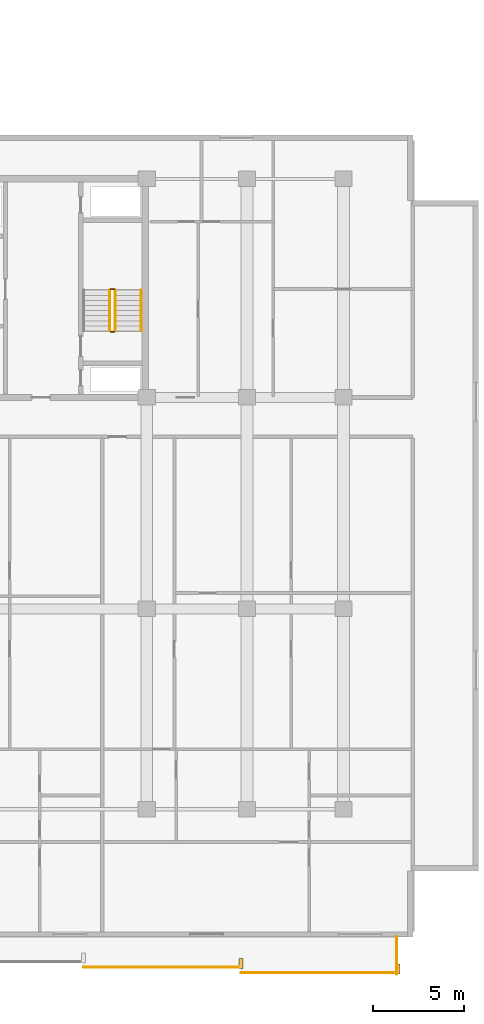
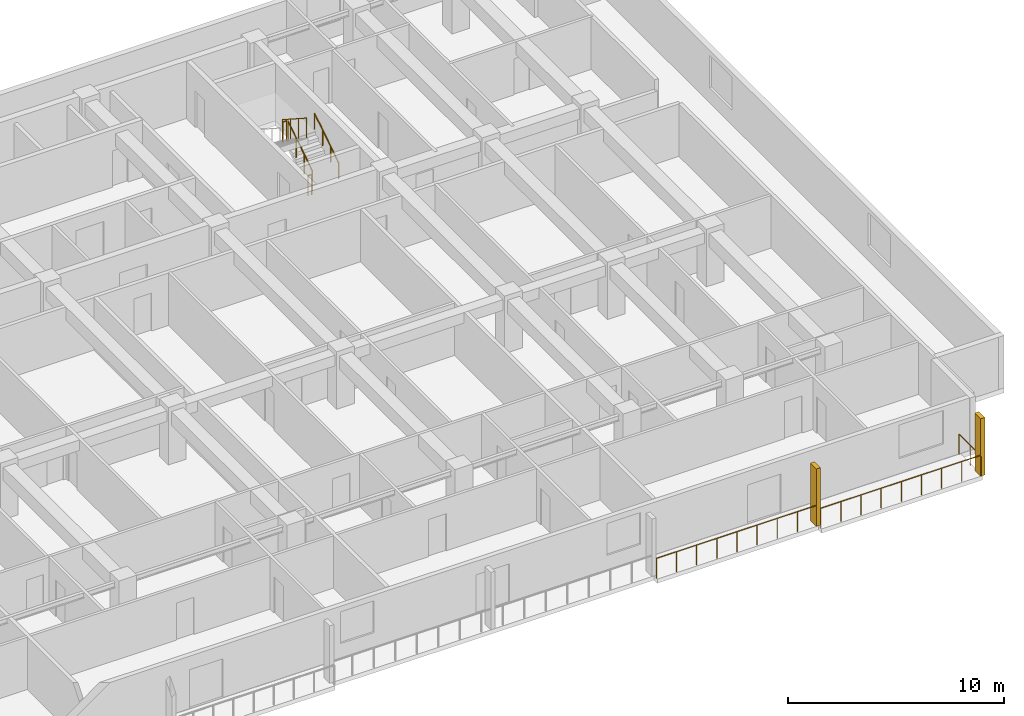
# One storey, part 21 of 23: 8 railings, 2 shading devices.
"""IFC4 building model written with IfcOpenShell, lengths in metres."""

from ifc_helpers import new_model, si_unit, direction, frame, origin, origin_2d, place, context, subcontext, project, spatial, rectangle, circle, extrude, material, type_object, element, save


model = new_model("IFC4")

# Units and contexts
model_context = context("Model", 3, precision=1e-05, world=origin(), true_north=direction((0.0, 1.0)))
body_context = subcontext(model_context, "Body", "Model", "MODEL_VIEW")
ifc_project = project(units=[si_unit("LENGTHUNIT", "METRE"), si_unit("AREAUNIT", "SQUARE_METRE"), si_unit("VOLUMEUNIT", "CUBIC_METRE"), si_unit("PLANEANGLEUNIT", "RADIAN"), si_unit("MASSUNIT", "GRAM", prefix="KILO")], contexts=[model_context])

# Site, building, storey
site_placement = place(None, origin())
site = spatial("IfcSite", under=ifc_project, at=site_placement, CompositionType="ELEMENT")
building_placement = place(site_placement, origin())
building = spatial("IfcBuilding", under=site, at=building_placement, Name="Korimba Cascade Residences", CompositionType="ELEMENT")
storey_placement = place(building_placement, frame((0.0, 0.0, 33.75)))
storey = spatial("IfcBuildingStorey", under=building, at=storey_placement, Name="L08", CompositionType="ELEMENT", Elevation=33.75)

# Railings
ifc_material_1 = material(Name="Laminated Glass and Bronze Balustrade", Category="glass")
railing_type_1 = type_object("IfcRailingType", Name="RLG-LOG-1150", PredefinedType="BALUSTRADE", material=ifc_material_1)
railing_1_placement = place(storey_placement, frame((114.642822265625, -12.8701171875, 0.0)))
element("IfcRailing", 1, at=railing_1_placement, inside=storey, type_object=railing_type_1, Name="L08 Perimeter Guardrail RLG-L08-T2-LOG-05", PredefinedType="BALUSTRADE", context=body_context, shape_type="SweptSolid", body=[
    extrude(circle(Radius=0.02392578125, at=origin_2d()), frame((0.0, 0.0, 1.1259765625), z_axis=(1.0, 0.0, 0.0), x_axis=(0.0, 1.0, 0.0)), (0.0, 0.0, 1.0), 8.628662109375),
    extrude(circle(Radius=0.02099609375, at=origin_2d()), origin(), (0.0, 0.0, 1.0), 1.101806640625),
    extrude(circle(Radius=0.02099609375, at=origin_2d()), frame((1.07861328125, 0.0, 0.0)), (0.0, 0.0, 1.0), 1.101806640625),
    extrude(circle(Radius=0.02099609375, at=origin_2d()), frame((2.1572265625, 0.0, 0.0)), (0.0, 0.0, 1.0), 1.101806640625),
    extrude(circle(Radius=0.02099609375, at=origin_2d()), frame((3.23583984375, 0.0, 0.0)), (0.0, 0.0, 1.0), 1.101806640625),
    extrude(circle(Radius=0.02099609375, at=origin_2d()), frame((4.314453125, 0.0, 0.0)), (0.0, 0.0, 1.0), 1.101806640625),
    extrude(circle(Radius=0.02099609375, at=origin_2d()), frame((5.392822265625, 0.0, 0.0)), (0.0, 0.0, 1.0), 1.101806640625),
    extrude(circle(Radius=0.02099609375, at=origin_2d()), frame((6.471435546875, 0.0, 0.0)), (0.0, 0.0, 1.0), 1.101806640625),
    extrude(circle(Radius=0.02099609375, at=origin_2d()), frame((7.550048828125, 0.0, 0.0)), (0.0, 0.0, 1.0), 1.101806640625),
    extrude(circle(Radius=0.02099609375, at=origin_2d()), frame((8.628662109375, 0.0, 0.0)), (0.0, 0.0, 1.0), 1.101806640625),
])
railing_2_placement = place(storey_placement, frame((123.271484375, -13.169921875, 0.0)))
element("IfcRailing", 2, at=railing_2_placement, inside=storey, type_object=railing_type_1, Name="L08 Perimeter Guardrail RLG-L08-T2-LOG-06", PredefinedType="BALUSTRADE", context=body_context, shape_type="SweptSolid", body=[
    extrude(circle(Radius=0.02392578125, at=origin_2d()), frame((0.0, 0.0, 1.1259765625), z_axis=(1.0, 0.0, 0.0), x_axis=(0.0, 1.0, 0.0)), (0.0, 0.0, 1.0), 8.62841796875),
    extrude(circle(Radius=0.02099609375, at=origin_2d()), origin(), (0.0, 0.0, 1.0), 1.101806640625),
    extrude(circle(Radius=0.02099609375, at=origin_2d()), frame((1.07861328125, 0.0, 0.0)), (0.0, 0.0, 1.0), 1.101806640625),
    extrude(circle(Radius=0.02099609375, at=origin_2d()), frame((2.1572265625, 0.0, 0.0)), (0.0, 0.0, 1.0), 1.101806640625),
    extrude(circle(Radius=0.02099609375, at=origin_2d()), frame((3.235595703125, 0.0, 0.0)), (0.0, 0.0, 1.0), 1.101806640625),
    extrude(circle(Radius=0.02099609375, at=origin_2d()), frame((4.314208984375, 0.0, 0.0)), (0.0, 0.0, 1.0), 1.101806640625),
    extrude(circle(Radius=0.02099609375, at=origin_2d()), frame((5.392822265625, 0.0, 0.0)), (0.0, 0.0, 1.0), 1.101806640625),
    extrude(circle(Radius=0.02099609375, at=origin_2d()), frame((6.47119140625, 0.0, 0.0)), (0.0, 0.0, 1.0), 1.101806640625),
    extrude(circle(Radius=0.02099609375, at=origin_2d()), frame((7.5498046875, 0.0, 0.0)), (0.0, 0.0, 1.0), 1.101806640625),
    extrude(circle(Radius=0.02099609375, at=origin_2d()), frame((8.62841796875, 0.0, 0.0)), (0.0, 0.0, 1.0), 1.101806640625),
])
railing_3_placement = place(storey_placement, frame((131.820068359375, -13.25, 0.0)))
element("IfcRailing", 3, at=railing_3_placement, inside=storey, type_object=railing_type_1, Name="L08 Perimeter Guardrail RLG-L08-T2-LOG-07", PredefinedType="BALUSTRADE", context=body_context, shape_type="SweptSolid", body=[
    extrude(circle(Radius=0.02392578125, at=origin_2d()), frame((0.0, 0.0, 1.1259765625), z_axis=(0.0, 1.0, 0.0), x_axis=(-1.0, 0.0, 0.0)), (0.0, 0.0, 1.0), 2.050048828125),
    extrude(circle(Radius=0.02099609375, at=origin_2d()), origin(), (0.0, 0.0, 1.0), 1.101806640625),
    extrude(circle(Radius=0.02099609375, at=origin_2d()), frame((0.0, 1.02490234375, 0.0)), (0.0, 0.0, 1.0), 1.101806640625),
    extrude(circle(Radius=0.02099609375, at=origin_2d()), frame((0.0, 2.050048828125, 0.0)), (0.0, 0.0, 1.0), 1.101806640625),
])
ifc_material_2 = material(Name="Painted Steel Stairwell Guardrail", Category="steel")
railing_type_2 = type_object("IfcRailingType", Name="RLG-ST-GD1150", PredefinedType="GUARDRAIL", material=ifc_material_2)
railing_4_placement = place(storey_placement, frame((116.3701171875, 22.050048828125, 0.1806640625)))
element("IfcRailing", 4, at=railing_4_placement, inside=storey, type_object=railing_type_2, Name="L08 ST-E2 stair guard 1", PredefinedType="GUARDRAIL", context=body_context, shape_type="SweptSolid", body=[
    extrude(circle(Radius=0.02392578125, at=origin_2d()), frame((0.0, 0.0, 1.1259765625), z_axis=(0.0, 0.840436612492, 0.541909863706), x_axis=(-1.0, 0.0, 0.0)), (0.0, 0.0, 1.0), 2.665283203125),
    extrude(circle(Radius=0.02099609375, at=origin_2d()), origin(), (0.0, 0.0, 1.0), 1.101806640625),
    extrude(circle(Radius=0.02099609375, at=origin_2d()), frame((0.0, 0.74658203125, 0.4814453125)), (0.0, 0.0, 1.0), 1.101806640625),
    extrude(circle(Radius=0.02099609375, at=origin_2d()), frame((0.0, 1.493408203125, 0.962890625)), (0.0, 0.0, 1.0), 1.101806640625),
    extrude(circle(Radius=0.02099609375, at=origin_2d()), frame((0.0, 2.239990234375, 1.4443359375)), (0.0, 0.0, 1.0), 1.101806640625),
])
railing_5_placement = place(storey_placement, frame((116.320068359375, 24.340087890625, 1.625)))
element("IfcRailing", 5, at=railing_5_placement, inside=storey, type_object=railing_type_2, Name="L08 ST-E2 stair guard 2", PredefinedType="GUARDRAIL", context=body_context, shape_type="SweptSolid", body=[
    extrude(circle(Radius=0.02392578125, at=origin_2d()), frame((0.0, 0.0, 1.1259765625), z_axis=(-1.0, 0.0, 0.0), x_axis=(0.0, -1.0, 0.0)), (0.0, 0.0, 1.0), 0.199951171875),
    extrude(circle(Radius=0.02099609375, at=origin_2d()), origin(), (0.0, 0.0, 1.0), 1.101806640625),
    extrude(circle(Radius=0.02099609375, at=origin_2d()), frame((-0.199951171875, 0.0, 0.0)), (0.0, 0.0, 1.0), 1.101806640625),
])
railing_6_placement = place(storey_placement, frame((116.070068359375, 24.2900390625, 1.8056640625)))
element("IfcRailing", 6, at=railing_6_placement, inside=storey, type_object=railing_type_2, Name="L08 ST-E2 stair guard 3", PredefinedType="GUARDRAIL", context=body_context, shape_type="SweptSolid", body=[
    extrude(circle(Radius=0.02392578125, at=origin_2d()), frame((0.0, 0.0, 1.1259765625), z_axis=(0.0, -0.840436612492, 0.541909863706), x_axis=(1.0, 0.0, 0.0)), (0.0, 0.0, 1.0), 2.665283203125),
    extrude(circle(Radius=0.02099609375, at=origin_2d()), origin(), (0.0, 0.0, 1.0), 1.101806640625),
    extrude(circle(Radius=0.02099609375, at=origin_2d()), frame((0.0, -0.74658203125, 0.4814453125)), (0.0, 0.0, 1.0), 1.101806640625),
    extrude(circle(Radius=0.02099609375, at=origin_2d()), frame((0.0, -1.493408203125, 0.962890625)), (0.0, 0.0, 1.0), 1.101806640625),
    extrude(circle(Radius=0.02099609375, at=origin_2d()), frame((0.0, -2.239990234375, 1.4443359375)), (0.0, 0.0, 1.0), 1.101806640625),
])
railing_7_placement = place(storey_placement, frame((116.320068359375, 22.0, 0.0)))
element("IfcRailing", 7, at=railing_7_placement, inside=storey, type_object=railing_type_2, Name="L08 ST-E2 stair guard 4", PredefinedType="GUARDRAIL", context=body_context, shape_type="SweptSolid", body=[
    extrude(circle(Radius=0.02392578125, at=origin_2d()), frame((0.0, 0.0, 1.1259765625), z_axis=(-1.0, 0.0, 0.0), x_axis=(0.0, -1.0, 0.0)), (0.0, 0.0, 1.0), 0.199951171875),
    extrude(circle(Radius=0.02099609375, at=origin_2d()), origin(), (0.0, 0.0, 1.0), 1.101806640625),
    extrude(circle(Radius=0.02099609375, at=origin_2d()), frame((-0.199951171875, 0.0, 0.0)), (0.0, 0.0, 1.0), 1.101806640625),
])
ifc_material_3 = material(Name="Brushed Stainless Steel Handrail", Category="steel")
railing_type_3 = type_object("IfcRailingType", Name="RLG-ST-HR900", PredefinedType="HANDRAIL", material=ifc_material_3)
railing_8_placement = place(storey_placement, frame((117.7900390625, 22.050048828125, 0.364990234375)))
element("IfcRailing", 8, at=railing_8_placement, inside=storey, type_object=railing_type_3, Name="L08 ST-E2 stair handrail 1", PredefinedType="HANDRAIL", context=body_context, shape_type="SweptSolid", body=[
    extrude(circle(Radius=0.02392578125, at=origin_2d()), frame((0.0, 0.0, 0.8759765625), z_axis=(0.0, 0.840436612492, 0.541909863706), x_axis=(-1.0, 0.0, 0.0)), (0.0, 0.0, 1.0), 2.665283203125),
    extrude(circle(Radius=0.02099609375, at=origin_2d()), origin(), (0.0, 0.0, 1.0), 0.851806640625),
    extrude(circle(Radius=0.02099609375, at=origin_2d()), frame((0.0, 0.74658203125, 0.4814453125)), (0.0, 0.0, 1.0), 0.851806640625),
    extrude(circle(Radius=0.02099609375, at=origin_2d()), frame((0.0, 1.493408203125, 0.962890625)), (0.0, 0.0, 1.0), 0.851806640625),
    extrude(circle(Radius=0.02099609375, at=origin_2d()), frame((0.0, 2.239990234375, 1.4443359375)), (0.0, 0.0, 1.0), 0.851806640625),
])

# Shading devices
ifc_material_4 = material(Name="Honed Sandstone Precast Fin", Category="masonry")
shading_device_type = type_object("IfcShadingDeviceType", Name="SHD-FIN-550", PredefinedType="USERDEFINED", material=ifc_material_4)
for number, where, z_axis, x_axis, name in (
    (9, (123.271484375, -12.675048828125, 0.0), (0.0, 0.0, 1.0), (1.0, 0.0, 0.0), "L08 T2 Warm-Stone Loggia Fin 7"),
    (10, (131.89990234375, -12.97509765625, 0.0), (0.0, 0.0, 1.0), (1.0, 0.0, 0.0), "L08 T2 Warm-Stone Loggia Fin 8"),
):
    element("IfcShadingDevice", number, at=place(storey_placement, frame(where, z_axis=z_axis, x_axis=x_axis)), inside=storey, type_object=shading_device_type, Name=name, ObjectType="FIN", PredefinedType="USERDEFINED", context=body_context, shape_type="SweptSolid", body=[
        extrude(rectangle(XDim=0.219970703125, YDim=0.550048828125, at=origin_2d()), origin(), (0.0, 0.0, 1.0), 3.25),
    ])

save(model, "model.ifc")
